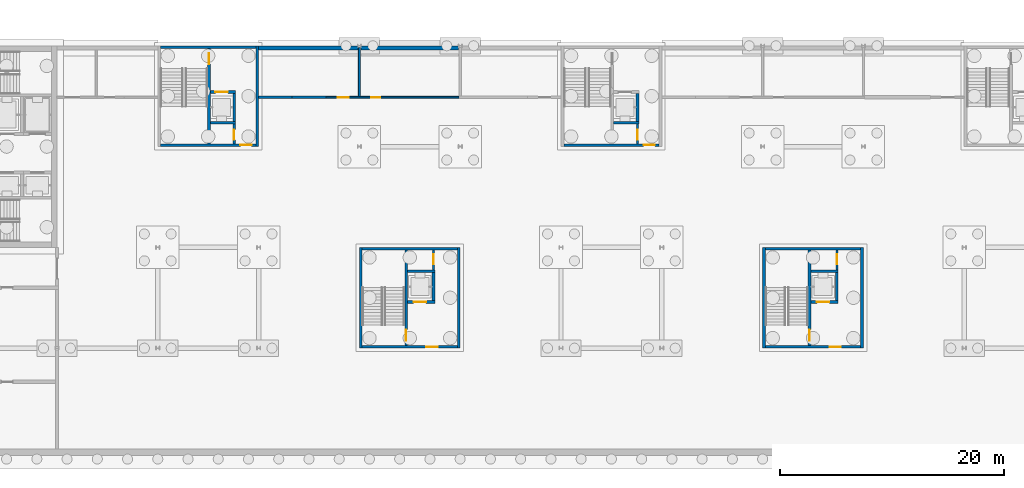
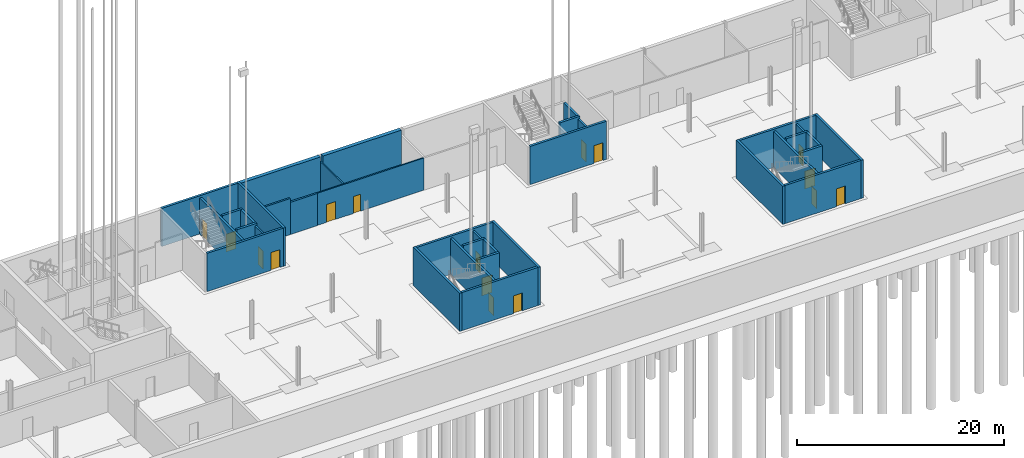
# One storey, part 16 of 41: 36 walls, 16 doors, 16 openings.
"""IFC4 building model written with IfcOpenShell, lengths in metres."""

from ifc_helpers import new_model, si_unit, direction, frame, frame_2d, origin, place, context, subcontext, project, spatial, rectangle, extrude, material, layer, layer_set, type_object, element, fill, save


model = new_model("IFC4")

# Units and contexts
model_context = context("Model", 3, precision=1e-05, world=origin(), true_north=direction((0.0, 1.0)))
body_context = subcontext(model_context, "Body", "Model", "MODEL_VIEW")
ifc_project = project(units=[si_unit("LENGTHUNIT", "METRE"), si_unit("AREAUNIT", "SQUARE_METRE"), si_unit("VOLUMEUNIT", "CUBIC_METRE"), si_unit("PLANEANGLEUNIT", "RADIAN"), si_unit("MASSUNIT", "GRAM", prefix="KILO")], contexts=[model_context])

# Site, building, storey
site_placement = place(None, origin())
site = spatial("IfcSite", under=ifc_project, at=site_placement, CompositionType="ELEMENT")
building_placement = place(site_placement, origin())
building = spatial("IfcBuilding", under=site, at=building_placement, Name="Corbel Yard City Hall", CompositionType="ELEMENT")
storey_placement = place(building_placement, frame((0.0, 0.0, -4.5)))
storey = spatial("IfcBuildingStorey", under=building, at=storey_placement, Name="B1", CompositionType="ELEMENT", Elevation=-4.5)

# Wall
ifc_material_1 = material(Name="Concrete N50 (50 MPa)", Category="concrete")
ifc_layer_1 = layer(ifc_material_1, 0.25)
ifc_layer_set_1 = layer_set([ifc_layer_1], Name="Concrete N50 (50 MPa)")
wall_type_1 = type_object("IfcWallType", Name="Core cell wall 250", PredefinedType="SHEAR", material=ifc_layer_set_1)
wall_1_placement = place(storey_placement, frame((71.875, 108.0, 0.0), z_axis=(0.0, 0.0, 1.0), x_axis=(0.0, 1.0, 0.0)))
element("IfcWall", 1, at=wall_1_placement, inside=storey, type_object=wall_type_1, Name="Core PC-N1 east wall", PredefinedType="SHEAR", context=body_context, shape_type="SweptSolid", body=[
    extrude(rectangle(XDim=9.0, YDim=0.25, at=frame_2d((4.5, 0.0))), origin(), (0.0, 0.0, 1.0), 4.5),
])

# Wall, opening, door
wall_2_placement = place(storey_placement, frame((63.25, 108.125, 0.0), z_axis=(0.0, 0.0, 1.0), x_axis=(1.0, 0.0, 0.0)))
wall_2 = element("IfcWall", 2, at=wall_2_placement, inside=storey, type_object=wall_type_1, Name="Core PC-N1 south wall", PredefinedType="SHEAR", context=body_context, shape_type="SweptSolid", body=[
    extrude(rectangle(XDim=8.5, YDim=0.25, at=frame_2d((4.25, 0.0))), origin(), (0.0, 0.0, 1.0), 4.5),
])
opening_1_placement = place(wall_2_placement, frame((7.125, 0.0, 0.0)))
opening_1 = element("IfcOpeningElement", 3, at=opening_1_placement, cuts=wall_2, Name="Opening B1-019", PredefinedType="OPENING", context=body_context, shape_type="SweptSolid", body=[
    extrude(rectangle(XDim=1.0, YDim=2.10009765625, at=frame_2d((0.5, 1.050048828125))), frame((0.0, 0.135009765625, 0.0), z_axis=(0.0, -1.0, 0.0), x_axis=(1.0, 0.0, 0.0)), (0.0, 0.0, 1.0), 0.27001953125),
])
ifc_material_2 = material(Name="Steel Grade G250", Category="steel")
door_type_1 = type_object("IfcDoorType", Name="FS1", OperationType="SINGLE_SWING_LEFT", PredefinedType="DOOR", material=ifc_material_2)
door_1_placement = place(opening_1_placement, origin())
door_1 = element("IfcDoor", 4, at=door_1_placement, inside=storey, type_object=door_type_1, Name="Door Lift Lobby", OperationType="SINGLE_SWING_RIGHT", OverallHeight=2.10009765625, OverallWidth=1.0, PredefinedType="DOOR", context=body_context, shape_type="SweptSolid", body=[
    extrude(rectangle(XDim=1.0, YDim=2.10009765625, at=frame_2d((0.5, 1.050048828125))), frame((0.0, 0.02490234375, 0.0), z_axis=(0.0, -1.0, 0.0), x_axis=(1.0, 0.0, 0.0)), (0.0, 0.0, 1.0), 0.050048828125),
])
fill(opening_1, door_1)

# Wall
wall_3_placement = place(storey_placement, frame((63.25, 116.875, 0.0), z_axis=(0.0, 0.0, 1.0), x_axis=(1.0, 0.0, 0.0)))
element("IfcWall", 5, at=wall_3_placement, inside=storey, type_object=wall_type_1, Name="Core PC-N1 north wall", PredefinedType="SHEAR", context=body_context, shape_type="SweptSolid", body=[
    extrude(rectangle(XDim=8.5, YDim=0.25, at=frame_2d((4.25, 0.0))), origin(), (0.0, 0.0, 1.0), 4.5),
])

# Wall, opening, door
wall_4_placement = place(storey_placement, frame((99.25, 108.125, 0.0), z_axis=(0.0, 0.0, 1.0), x_axis=(1.0, 0.0, 0.0)))
wall_4 = element("IfcWall", 6, at=wall_4_placement, inside=storey, type_object=wall_type_1, Name="Core PC-N2 south wall", PredefinedType="SHEAR", context=body_context, shape_type="SweptSolid", body=[
    extrude(rectangle(XDim=8.5, YDim=0.25, at=frame_2d((4.25, 0.0))), origin(), (0.0, 0.0, 1.0), 4.5),
])
opening_2_placement = place(wall_4_placement, frame((7.125, 0.0, 0.0)))
opening_2 = element("IfcOpeningElement", 7, at=opening_2_placement, cuts=wall_4, Name="Opening B1-020", PredefinedType="OPENING", context=body_context, shape_type="SweptSolid", body=[
    extrude(rectangle(XDim=1.0, YDim=2.10009765625, at=frame_2d((0.5, 1.050048828125))), frame((0.0, 0.135009765625, 0.0), z_axis=(0.0, -1.0, 0.0), x_axis=(1.0, 0.0, 0.0)), (0.0, 0.0, 1.0), 0.27001953125),
])
door_2_placement = place(opening_2_placement, origin())
door_2 = element("IfcDoor", 8, at=door_2_placement, inside=storey, type_object=door_type_1, Name="Door Lift Lobby", OperationType="SINGLE_SWING_RIGHT", OverallHeight=2.10009765625, OverallWidth=1.0, PredefinedType="DOOR", context=body_context, shape_type="SweptSolid", body=[
    extrude(rectangle(XDim=1.0, YDim=2.10009765625, at=frame_2d((0.5, 1.050048828125))), frame((0.0, 0.02490234375, 0.0), z_axis=(0.0, -1.0, 0.0), x_axis=(1.0, 0.0, 0.0)), (0.0, 0.0, 1.0), 0.050048828125),
])
fill(opening_2, door_2)

# Walls
for number, where, z_axis, x_axis, name in (
    (9, (81.125, 90.0, 0.0), (0.0, 0.0, 1.0), (0.0, 1.0, 0.0), "Core PC-N5 west wall"),
    (10, (89.875, 90.0, 0.0), (0.0, 0.0, 1.0), (0.0, 1.0, 0.0), "Core PC-N5 east wall"),
):
    element("IfcWall", number, at=place(storey_placement, frame(where, z_axis=z_axis, x_axis=x_axis)), inside=storey, type_object=wall_type_1, Name=name, PredefinedType="SHEAR", context=body_context, shape_type="SweptSolid", body=[
        extrude(rectangle(XDim=9.0, YDim=0.25, at=frame_2d((4.5, 0.0))), origin(), (0.0, 0.0, 1.0), 4.5),
    ])

# Wall, opening, door
wall_5_placement = place(storey_placement, frame((81.25, 90.125, 0.0), z_axis=(0.0, 0.0, 1.0), x_axis=(1.0, 0.0, 0.0)))
wall_5 = element("IfcWall", 11, at=wall_5_placement, inside=storey, type_object=wall_type_1, Name="Core PC-N5 south wall", PredefinedType="SHEAR", context=body_context, shape_type="SweptSolid", body=[
    extrude(rectangle(XDim=8.5, YDim=0.25, at=frame_2d((4.25, 0.0))), origin(), (0.0, 0.0, 1.0), 4.5),
])
opening_3_placement = place(wall_5_placement, frame((5.72509765625, 0.0, 0.0)))
opening_3 = element("IfcOpeningElement", 12, at=opening_3_placement, cuts=wall_5, Name="Opening B1-023", PredefinedType="OPENING", context=body_context, shape_type="SweptSolid", body=[
    extrude(rectangle(XDim=1.0, YDim=2.10009765625, at=frame_2d((0.5, 1.050048828125))), frame((0.0, 0.135009765625, 0.0), z_axis=(0.0, -1.0, 0.0), x_axis=(1.0, 0.0, 0.0)), (0.0, 0.0, 1.0), 0.27001953125),
])
door_3_placement = place(opening_3_placement, origin())
door_3 = element("IfcDoor", 13, at=door_3_placement, inside=storey, type_object=door_type_1, Name="Door Lift Lobby", OperationType="SINGLE_SWING_LEFT", OverallHeight=2.10009765625, OverallWidth=1.0, PredefinedType="DOOR", context=body_context, shape_type="SweptSolid", body=[
    extrude(rectangle(XDim=1.0, YDim=2.10009765625, at=frame_2d((0.5, 1.050048828125))), frame((0.0, 0.02490234375, 0.0), z_axis=(0.0, -1.0, 0.0), x_axis=(1.0, 0.0, 0.0)), (0.0, 0.0, 1.0), 0.050048828125),
])
fill(opening_3, door_3)

# Walls
wall_6_placement = place(storey_placement, frame((81.25, 98.875, 0.0), z_axis=(0.0, 0.0, 1.0), x_axis=(1.0, 0.0, 0.0)))
element("IfcWall", 14, at=wall_6_placement, inside=storey, type_object=wall_type_1, Name="Core PC-N5 north wall", PredefinedType="SHEAR", context=body_context, shape_type="SweptSolid", body=[
    extrude(rectangle(XDim=8.5, YDim=0.25, at=frame_2d((4.25, 0.0))), origin(), (0.0, 0.0, 1.0), 4.5),
])
for number, where, z_axis, x_axis, name in (
    (15, (117.125, 90.0, 0.0), (0.0, 0.0, 1.0), (0.0, 1.0, 0.0), "Core PC-N6 west wall"),
    (16, (125.875, 90.0, 0.0), (0.0, 0.0, 1.0), (0.0, 1.0, 0.0), "Core PC-N6 east wall"),
):
    element("IfcWall", number, at=place(storey_placement, frame(where, z_axis=z_axis, x_axis=x_axis)), inside=storey, type_object=wall_type_1, Name=name, PredefinedType="SHEAR", context=body_context, shape_type="SweptSolid", body=[
        extrude(rectangle(XDim=9.0, YDim=0.25, at=frame_2d((4.5, 0.0))), origin(), (0.0, 0.0, 1.0), 4.5),
    ])

# Wall, opening, door
wall_7_placement = place(storey_placement, frame((117.25, 90.125, 0.0), z_axis=(0.0, 0.0, 1.0), x_axis=(1.0, 0.0, 0.0)))
wall_7 = element("IfcWall", 17, at=wall_7_placement, inside=storey, type_object=wall_type_1, Name="Core PC-N6 south wall", PredefinedType="SHEAR", context=body_context, shape_type="SweptSolid", body=[
    extrude(rectangle(XDim=8.5, YDim=0.25, at=frame_2d((4.25, 0.0))), origin(), (0.0, 0.0, 1.0), 4.5),
])
opening_4_placement = place(wall_7_placement, frame((5.72509765625, 0.0, 0.0)))
opening_4 = element("IfcOpeningElement", 18, at=opening_4_placement, cuts=wall_7, Name="Opening B1-024", PredefinedType="OPENING", context=body_context, shape_type="SweptSolid", body=[
    extrude(rectangle(XDim=1.0, YDim=2.10009765625, at=frame_2d((0.5, 1.050048828125))), frame((0.0, 0.135009765625, 0.0), z_axis=(0.0, -1.0, 0.0), x_axis=(1.0, 0.0, 0.0)), (0.0, 0.0, 1.0), 0.27001953125),
])
door_4_placement = place(opening_4_placement, origin())
door_4 = element("IfcDoor", 19, at=door_4_placement, inside=storey, type_object=door_type_1, Name="Door Lift Lobby", OperationType="SINGLE_SWING_LEFT", OverallHeight=2.10009765625, OverallWidth=1.0, PredefinedType="DOOR", context=body_context, shape_type="SweptSolid", body=[
    extrude(rectangle(XDim=1.0, YDim=2.10009765625, at=frame_2d((0.5, 1.050048828125))), frame((0.0, 0.02490234375, 0.0), z_axis=(0.0, -1.0, 0.0), x_axis=(1.0, 0.0, 0.0)), (0.0, 0.0, 1.0), 0.050048828125),
])
fill(opening_4, door_4)

# Wall
wall_8_placement = place(storey_placement, frame((117.25, 98.875, 0.0), z_axis=(0.0, 0.0, 1.0), x_axis=(1.0, 0.0, 0.0)))
element("IfcWall", 20, at=wall_8_placement, inside=storey, type_object=wall_type_1, Name="Core PC-N6 north wall", PredefinedType="SHEAR", context=body_context, shape_type="SweptSolid", body=[
    extrude(rectangle(XDim=8.5, YDim=0.25, at=frame_2d((4.25, 0.0))), origin(), (0.0, 0.0, 1.0), 4.5),
])

# Wall, opening, door
ifc_material_3 = material(Name="Concrete N40 (40 MPa)", Category="concrete")
ifc_layer_2 = layer(ifc_material_3, 0.25)
ifc_layer_set_2 = layer_set([ifc_layer_2], Name="Concrete N40 (40 MPa)")
wall_type_2 = type_object("IfcWallType", Name="IW2", PredefinedType="SOLIDWALL", material=ifc_layer_set_2)
wall_9_placement = place(storey_placement, frame((67.574951171875, 116.75, 0.0), z_axis=(0.0, 0.0, 1.0), x_axis=(0.0, -1.0, 0.0)))
wall_9 = element("IfcWall", 21, at=wall_9_placement, inside=storey, type_object=wall_type_2, Name="Stair enclosure wall", PredefinedType="SOLIDWALL", context=body_context, shape_type="SweptSolid", body=[
    extrude(rectangle(XDim=8.5, YDim=0.25, at=frame_2d((4.25, 0.0))), origin(), (0.0, 0.0, 1.0), 4.25),
])
opening_5_placement = place(wall_9_placement, frame((0.39990234375, 0.0, 0.0)))
opening_5 = element("IfcOpeningElement", 22, at=opening_5_placement, cuts=wall_9, Name="Opening B1-007", PredefinedType="OPENING", context=body_context, shape_type="SweptSolid", body=[
    extrude(rectangle(XDim=1.0, YDim=2.10009765625, at=frame_2d((0.5, 1.050048828125))), frame((0.0, 0.135009765625, 0.0), z_axis=(0.0, -1.0, 0.0), x_axis=(1.0, 0.0, 0.0)), (0.0, 0.0, 1.0), 0.27001953125),
])
door_5_placement = place(opening_5_placement, frame((1.0, 0.0, 0.0), z_axis=(0.0, 0.0, 1.0), x_axis=(-1.0, 0.0, 0.0)))
door_5 = element("IfcDoor", 23, at=door_5_placement, inside=storey, type_object=door_type_1, Name="Door Exit Stair 16", OperationType="SINGLE_SWING_RIGHT", OverallHeight=2.10009765625, OverallWidth=1.0, PredefinedType="DOOR", context=body_context, shape_type="SweptSolid", body=[
    extrude(rectangle(XDim=1.0, YDim=2.10009765625, at=frame_2d((0.5, 1.050048828125))), frame((0.0, 0.02490234375, 0.0), z_axis=(0.0, -1.0, 0.0), x_axis=(1.0, 0.0, 0.0)), (0.0, 0.0, 1.0), 0.050048828125),
])
fill(opening_5, door_5)

# Wall
wall_10_placement = place(storey_placement, frame((67.699951171875, 110.125, 0.0), z_axis=(0.0, 0.0, 1.0), x_axis=(1.0, 0.0, 0.0)))
element("IfcWall", 24, at=wall_10_placement, inside=storey, type_object=wall_type_2, Name="Lift LP16 shaft wall", PredefinedType="SOLIDWALL", context=body_context, shape_type="SweptSolid", body=[
    extrude(rectangle(XDim=2.25, YDim=0.25, at=frame_2d((1.125, 0.0))), origin(), (0.0, 0.0, 1.0), 4.5),
])

# Wall, opening, door
wall_11_placement = place(storey_placement, frame((67.699951171875, 112.875, 0.0), z_axis=(0.0, 0.0, 1.0), x_axis=(1.0, 0.0, 0.0)))
wall_11 = element("IfcWall", 25, at=wall_11_placement, inside=storey, type_object=wall_type_2, Name="Lift LP16 shaft wall", PredefinedType="SOLIDWALL", context=body_context, shape_type="SweptSolid", body=[
    extrude(rectangle(XDim=2.25, YDim=0.25, at=frame_2d((1.125, 0.0))), origin(), (0.0, 0.0, 1.0), 4.5),
])
opening_6_placement = place(wall_11_placement, frame((0.449951171875, 0.0, 0.0)))
opening_6 = element("IfcOpeningElement", 26, at=opening_6_placement, cuts=wall_11, Name="Opening B1-001", PredefinedType="OPENING", context=body_context, shape_type="SweptSolid", body=[
    extrude(rectangle(XDim=1.10009765625, YDim=2.10009765625, at=frame_2d((0.550048828125, 1.050048828125))), frame((0.0, 0.135009765625, 0.0), z_axis=(0.0, -1.0, 0.0), x_axis=(1.0, 0.0, 0.0)), (0.0, 0.0, 1.0), 0.27001953125),
])
ifc_material_4 = material(Name="Stainless steel Grade 316", Category="steel")
door_type_2 = type_object("IfcDoorType", Name="LD1", OperationType="DOUBLE_DOOR_SLIDING", PredefinedType="DOOR", material=ifc_material_4)
door_6_placement = place(opening_6_placement, origin())
door_6 = element("IfcDoor", 27, at=door_6_placement, inside=storey, type_object=door_type_2, Name="Lift LP16 landing door", OperationType="DOUBLE_DOOR_SLIDING", OverallHeight=2.10009765625, OverallWidth=1.10009765625, PredefinedType="DOOR", context=body_context, shape_type="SweptSolid", body=[
    extrude(rectangle(XDim=1.10009765625, YDim=2.10009765625, at=frame_2d((0.550048828125, 1.050048828125))), frame((0.0, 0.02490234375, 0.0), z_axis=(0.0, -1.0, 0.0), x_axis=(1.0, 0.0, 0.0)), (0.0, 0.0, 1.0), 0.050048828125),
])
fill(opening_6, door_6)

# Walls
wall_12_placement = place(storey_placement, frame((69.824951171875, 110.25, 0.0), z_axis=(0.0, 0.0, 1.0), x_axis=(0.0, 1.0, 0.0)))
element("IfcWall", 28, at=wall_12_placement, inside=storey, type_object=wall_type_2, Name="Lift LP16 shaft wall", PredefinedType="SOLIDWALL", context=body_context, shape_type="SweptSolid", body=[
    extrude(rectangle(XDim=2.5, YDim=0.25, at=frame_2d((1.25, 0.0))), origin(), (0.0, 0.0, 1.0), 4.5),
])
wall_13_placement = place(storey_placement, frame((103.699951171875, 110.125, 0.0), z_axis=(0.0, 0.0, 1.0), x_axis=(1.0, 0.0, 0.0)))
element("IfcWall", 29, at=wall_13_placement, inside=storey, type_object=wall_type_2, Name="Lift LP17 shaft wall", PredefinedType="SOLIDWALL", context=body_context, shape_type="SweptSolid", body=[
    extrude(rectangle(XDim=2.25, YDim=0.25, at=frame_2d((1.125, 0.0))), origin(), (0.0, 0.0, 1.0), 4.5),
])
wall_14_placement = place(storey_placement, frame((105.824951171875, 110.25, 0.0), z_axis=(0.0, 0.0, 1.0), x_axis=(0.0, 1.0, 0.0)))
element("IfcWall", 30, at=wall_14_placement, inside=storey, type_object=wall_type_2, Name="Lift LP17 shaft wall", PredefinedType="SOLIDWALL", context=body_context, shape_type="SweptSolid", body=[
    extrude(rectangle(XDim=2.5, YDim=0.25, at=frame_2d((1.25, 0.0))), origin(), (0.0, 0.0, 1.0), 4.5),
])

# Wall, opening, door
wall_15_placement = place(storey_placement, frame((85.175048828125, 90.25, 0.0), z_axis=(0.0, 0.0, 1.0), x_axis=(0.0, 1.0, 0.0)))
wall_15 = element("IfcWall", 31, at=wall_15_placement, inside=storey, type_object=wall_type_2, Name="Stair enclosure wall", PredefinedType="SOLIDWALL", context=body_context, shape_type="SweptSolid", body=[
    extrude(rectangle(XDim=8.5, YDim=0.25, at=frame_2d((4.25, 0.0))), origin(), (0.0, 0.0, 1.0), 4.25),
])
opening_7_placement = place(wall_15_placement, frame((0.39990234375, 0.0, 0.0)))
opening_7 = element("IfcOpeningElement", 32, at=opening_7_placement, cuts=wall_15, Name="Opening B1-015", PredefinedType="OPENING", context=body_context, shape_type="SweptSolid", body=[
    extrude(rectangle(XDim=1.0, YDim=2.10009765625, at=frame_2d((0.5, 1.050048828125))), frame((0.0, 0.135009765625, 0.0), z_axis=(0.0, -1.0, 0.0), x_axis=(1.0, 0.0, 0.0)), (0.0, 0.0, 1.0), 0.27001953125),
])
door_7_placement = place(opening_7_placement, origin())
door_7 = element("IfcDoor", 33, at=door_7_placement, inside=storey, type_object=door_type_1, Name="Door Exit Stair 20", OperationType="SINGLE_SWING_LEFT", OverallHeight=2.10009765625, OverallWidth=1.0, PredefinedType="DOOR", context=body_context, shape_type="SweptSolid", body=[
    extrude(rectangle(XDim=1.0, YDim=2.10009765625, at=frame_2d((0.5, 1.050048828125))), frame((0.0, 0.02490234375, 0.0), z_axis=(0.0, -1.0, 0.0), x_axis=(1.0, 0.0, 0.0)), (0.0, 0.0, 1.0), 0.050048828125),
])
fill(opening_7, door_7)

wall_16_placement = place(storey_placement, frame((85.300048828125, 94.125, 0.0), z_axis=(0.0, 0.0, 1.0), x_axis=(1.0, 0.0, 0.0)))
wall_16 = element("IfcWall", 34, at=wall_16_placement, inside=storey, type_object=wall_type_2, Name="Lift LP20 shaft wall", PredefinedType="SOLIDWALL", context=body_context, shape_type="SweptSolid", body=[
    extrude(rectangle(XDim=2.449951171875, YDim=0.25, at=frame_2d((1.22509765625, 0.0))), origin(), (0.0, 0.0, 1.0), 4.5),
])
opening_8_placement = place(wall_16_placement, frame((0.550048828125, 0.0, 0.0)))
opening_8 = element("IfcOpeningElement", 35, at=opening_8_placement, cuts=wall_16, Name="Opening B1-005", PredefinedType="OPENING", context=body_context, shape_type="SweptSolid", body=[
    extrude(rectangle(XDim=1.10009765625, YDim=2.10009765625, at=frame_2d((0.550048828125, 1.050048828125))), frame((0.0, 0.135009765625, 0.0), z_axis=(0.0, -1.0, 0.0), x_axis=(1.0, 0.0, 0.0)), (0.0, 0.0, 1.0), 0.27001953125),
])
door_8_placement = place(opening_8_placement, origin())
door_8 = element("IfcDoor", 36, at=door_8_placement, inside=storey, type_object=door_type_2, Name="Lift LP20 landing door", OperationType="DOUBLE_DOOR_SLIDING", OverallHeight=2.10009765625, OverallWidth=1.10009765625, PredefinedType="DOOR", context=body_context, shape_type="SweptSolid", body=[
    extrude(rectangle(XDim=1.10009765625, YDim=2.10009765625, at=frame_2d((0.550048828125, 1.050048828125))), frame((0.0, 0.02490234375, 0.0), z_axis=(0.0, -1.0, 0.0), x_axis=(1.0, 0.0, 0.0)), (0.0, 0.0, 1.0), 0.050048828125),
])
fill(opening_8, door_8)

# Walls
wall_17_placement = place(storey_placement, frame((85.300048828125, 96.875, 0.0), z_axis=(0.0, 0.0, 1.0), x_axis=(1.0, 0.0, 0.0)))
element("IfcWall", 37, at=wall_17_placement, inside=storey, type_object=wall_type_2, Name="Lift LP20 shaft wall", PredefinedType="SOLIDWALL", context=body_context, shape_type="SweptSolid", body=[
    extrude(rectangle(XDim=2.449951171875, YDim=0.25, at=frame_2d((1.22509765625, 0.0))), origin(), (0.0, 0.0, 1.0), 4.5),
])
wall_18_placement = place(storey_placement, frame((87.625, 94.25, 0.0), z_axis=(0.0, 0.0, 1.0), x_axis=(0.0, 1.0, 0.0)))
element("IfcWall", 38, at=wall_18_placement, inside=storey, type_object=wall_type_2, Name="Lift LP20 shaft wall", PredefinedType="SOLIDWALL", context=body_context, shape_type="SweptSolid", body=[
    extrude(rectangle(XDim=2.5, YDim=0.25, at=frame_2d((1.25, 0.0))), origin(), (0.0, 0.0, 1.0), 4.5),
])

# Wall, opening, door
wall_19_placement = place(storey_placement, frame((121.175048828125, 90.25, 0.0), z_axis=(0.0, 0.0, 1.0), x_axis=(0.0, 1.0, 0.0)))
wall_19 = element("IfcWall", 39, at=wall_19_placement, inside=storey, type_object=wall_type_2, Name="Stair enclosure wall", PredefinedType="SOLIDWALL", context=body_context, shape_type="SweptSolid", body=[
    extrude(rectangle(XDim=8.5, YDim=0.25, at=frame_2d((4.25, 0.0))), origin(), (0.0, 0.0, 1.0), 4.25),
])
opening_9_placement = place(wall_19_placement, frame((0.39990234375, 0.0, 0.0)))
opening_9 = element("IfcOpeningElement", 40, at=opening_9_placement, cuts=wall_19, Name="Opening B1-017", PredefinedType="OPENING", context=body_context, shape_type="SweptSolid", body=[
    extrude(rectangle(XDim=1.0, YDim=2.10009765625, at=frame_2d((0.5, 1.050048828125))), frame((0.0, 0.135009765625, 0.0), z_axis=(0.0, -1.0, 0.0), x_axis=(1.0, 0.0, 0.0)), (0.0, 0.0, 1.0), 0.27001953125),
])
door_9_placement = place(opening_9_placement, origin())
door_9 = element("IfcDoor", 41, at=door_9_placement, inside=storey, type_object=door_type_1, Name="Door Exit Stair 21", OperationType="SINGLE_SWING_LEFT", OverallHeight=2.10009765625, OverallWidth=1.0, PredefinedType="DOOR", context=body_context, shape_type="SweptSolid", body=[
    extrude(rectangle(XDim=1.0, YDim=2.10009765625, at=frame_2d((0.5, 1.050048828125))), frame((0.0, 0.02490234375, 0.0), z_axis=(0.0, -1.0, 0.0), x_axis=(1.0, 0.0, 0.0)), (0.0, 0.0, 1.0), 0.050048828125),
])
fill(opening_9, door_9)

wall_20_placement = place(storey_placement, frame((121.300048828125, 94.125, 0.0), z_axis=(0.0, 0.0, 1.0), x_axis=(1.0, 0.0, 0.0)))
wall_20 = element("IfcWall", 42, at=wall_20_placement, inside=storey, type_object=wall_type_2, Name="Lift LP21 shaft wall", PredefinedType="SOLIDWALL", context=body_context, shape_type="SweptSolid", body=[
    extrude(rectangle(XDim=2.449951171875, YDim=0.25, at=frame_2d((1.22509765625, 0.0))), origin(), (0.0, 0.0, 1.0), 4.5),
])
opening_10_placement = place(wall_20_placement, frame((0.550048828125, 0.0, 0.0)))
opening_10 = element("IfcOpeningElement", 43, at=opening_10_placement, cuts=wall_20, Name="Opening B1-006", PredefinedType="OPENING", context=body_context, shape_type="SweptSolid", body=[
    extrude(rectangle(XDim=1.10009765625, YDim=2.10009765625, at=frame_2d((0.550048828125, 1.050048828125))), frame((0.0, 0.135009765625, 0.0), z_axis=(0.0, -1.0, 0.0), x_axis=(1.0, 0.0, 0.0)), (0.0, 0.0, 1.0), 0.27001953125),
])
door_10_placement = place(opening_10_placement, origin())
door_10 = element("IfcDoor", 44, at=door_10_placement, inside=storey, type_object=door_type_2, Name="Lift LP21 landing door", OperationType="DOUBLE_DOOR_SLIDING", OverallHeight=2.10009765625, OverallWidth=1.10009765625, PredefinedType="DOOR", context=body_context, shape_type="SweptSolid", body=[
    extrude(rectangle(XDim=1.10009765625, YDim=2.10009765625, at=frame_2d((0.550048828125, 1.050048828125))), frame((0.0, 0.02490234375, 0.0), z_axis=(0.0, -1.0, 0.0), x_axis=(1.0, 0.0, 0.0)), (0.0, 0.0, 1.0), 0.050048828125),
])
fill(opening_10, door_10)

# Walls
wall_21_placement = place(storey_placement, frame((121.300048828125, 96.875, 0.0), z_axis=(0.0, 0.0, 1.0), x_axis=(1.0, 0.0, 0.0)))
element("IfcWall", 45, at=wall_21_placement, inside=storey, type_object=wall_type_2, Name="Lift LP21 shaft wall", PredefinedType="SOLIDWALL", context=body_context, shape_type="SweptSolid", body=[
    extrude(rectangle(XDim=2.449951171875, YDim=0.25, at=frame_2d((1.22509765625, 0.0))), origin(), (0.0, 0.0, 1.0), 4.5),
])
wall_22_placement = place(storey_placement, frame((123.625, 94.25, 0.0), z_axis=(0.0, 0.0, 1.0), x_axis=(0.0, 1.0, 0.0)))
element("IfcWall", 46, at=wall_22_placement, inside=storey, type_object=wall_type_2, Name="Lift LP21 shaft wall", PredefinedType="SOLIDWALL", context=body_context, shape_type="SweptSolid", body=[
    extrude(rectangle(XDim=2.5, YDim=0.25, at=frame_2d((1.25, 0.0))), origin(), (0.0, 0.0, 1.0), 4.5),
])
ifc_material_5 = material(Name="Gypsum plasterboard", Category="gypsum")
ifc_layer_3 = layer(ifc_material_5, 0.031982421875)
ifc_material_6 = material(Name="Steel Grade G550 (550 MPa yield)", Category="steel")
ifc_layer_4 = layer(ifc_material_6, 0.135986328125)
ifc_layer_5 = layer(ifc_material_5, 0.031982421875)
ifc_layer_set_3 = layer_set([ifc_layer_3, ifc_layer_4, ifc_layer_5], Name="Steel Grade G550 (550 MPa yield)")
wall_type_3 = type_object("IfcWallType", Name="PT2", PredefinedType="PARTITIONING", material=ifc_layer_set_3)
wall_23_placement = place(storey_placement, frame((72.0, 112.39990234375, 0.0), z_axis=(0.0, 0.0, 1.0), x_axis=(1.0, 0.0, 0.0)))
element("IfcWall", 47, at=wall_23_placement, inside=storey, type_object=wall_type_3, Name="Acoustic wall", PredefinedType="PARTITIONING", context=body_context, shape_type="SweptSolid", body=[
    extrude(rectangle(XDim=3.0, YDim=0.199951171875, at=frame_2d((1.5, 0.0))), origin(), (0.0, 0.0, 1.0), 4.25),
])
wall_24_placement = place(storey_placement, frame((75.0, 112.39990234375, 0.0), z_axis=(0.0, 0.0, 1.0), x_axis=(1.0, 0.0, 0.0)))
element("IfcWall", 48, at=wall_24_placement, inside=storey, type_object=wall_type_3, Name="Acoustic wall", PredefinedType="PARTITIONING", context=body_context, shape_type="SweptSolid", body=[
    extrude(rectangle(XDim=3.0, YDim=0.199951171875, at=frame_2d((1.5, 0.0))), origin(), (0.0, 0.0, 1.0), 3.7900390625),
])

# Wall, openings, doors
ifc_layer_6 = layer(ifc_material_5, 0.031982421875)
ifc_layer_7 = layer(ifc_material_6, 0.095947265625)
ifc_layer_8 = layer(ifc_material_5, 0.031982421875)
ifc_layer_set_4 = layer_set([ifc_layer_6, ifc_layer_7, ifc_layer_8], Name="Steel Grade G550 (550 MPa yield)")
wall_type_4 = type_object("IfcWallType", Name="PT3", PredefinedType="PARTITIONING", material=ifc_layer_set_4)
wall_25_placement = place(storey_placement, frame((78.0, 112.39990234375, 0.0), z_axis=(0.0, 0.0, 1.0), x_axis=(1.0, 0.0, 0.0)))
wall_25 = element("IfcWall", 49, at=wall_25_placement, inside=storey, type_object=wall_type_4, Name="Fire-resisting wall", PredefinedType="PARTITIONING", context=body_context, shape_type="SweptSolid", body=[
    extrude(rectangle(XDim=11.905029296875, YDim=0.159912109375, at=frame_2d((5.95263671875, 0.0))), origin(), (0.0, 0.0, 1.0), 3.7900390625),
])
opening_11_placement = place(wall_25_placement, frame((1.050048828125, 0.0, 0.0)))
opening_11 = element("IfcOpeningElement", 50, at=opening_11_placement, cuts=wall_25, Name="Opening B1-040", PredefinedType="OPENING", context=body_context, shape_type="SweptSolid", body=[
    extrude(rectangle(XDim=1.0, YDim=2.10009765625, at=frame_2d((0.5, 1.050048828125))), frame((0.0, 0.08984375, 0.0), z_axis=(0.0, -1.0, 0.0), x_axis=(1.0, 0.0, 0.0)), (0.0, 0.0, 1.0), 0.179931640625),
])
opening_12_placement = place(wall_25_placement, frame((4.050048828125, 0.0, 0.0)))
opening_12 = element("IfcOpeningElement", 51, at=opening_12_placement, cuts=wall_25, Name="Opening B1-041", PredefinedType="OPENING", context=body_context, shape_type="SweptSolid", body=[
    extrude(rectangle(XDim=0.800048828125, YDim=2.0, at=frame_2d((0.39990234375, 1.0))), frame((0.0, 0.08984375, 0.0), z_axis=(0.0, -1.0, 0.0), x_axis=(1.0, 0.0, 0.0)), (0.0, 0.0, 1.0), 0.179931640625),
])
door_type_3 = type_object("IfcDoorType", Name="FD1", OperationType="SINGLE_SWING_LEFT", PredefinedType="DOOR", material=ifc_material_2)
door_11_placement = place(opening_11_placement, origin())
door_11 = element("IfcDoor", 52, at=door_11_placement, inside=storey, type_object=door_type_3, Name="Door Sprinkler and Hydrant Valve Room", OperationType="SINGLE_SWING_RIGHT", OverallHeight=2.10009765625, OverallWidth=1.0, PredefinedType="DOOR", context=body_context, shape_type="SweptSolid", body=[
    extrude(rectangle(XDim=1.0, YDim=2.10009765625, at=frame_2d((0.5, 1.050048828125))), frame((0.0, 0.02490234375, 0.0), z_axis=(0.0, -1.0, 0.0), x_axis=(1.0, 0.0, 0.0)), (0.0, 0.0, 1.0), 0.050048828125),
])
fill(opening_11, door_11)
door_type_4 = type_object("IfcDoorType", Name="FD31", OperationType="SINGLE_SWING_LEFT", PredefinedType="DOOR", material=ifc_material_2)
door_12_placement = place(opening_12_placement, origin())
door_12 = element("IfcDoor", 53, at=door_12_placement, inside=storey, type_object=door_type_4, Name="Door General Store", OperationType="SINGLE_SWING_LEFT", OverallHeight=2.0, OverallWidth=0.800048828125, PredefinedType="DOOR", context=body_context, shape_type="SweptSolid", body=[
    extrude(rectangle(XDim=0.800048828125, YDim=2.0, at=frame_2d((0.39990234375, 1.0))), frame((0.0, 0.02490234375, 0.0), z_axis=(0.0, -1.0, 0.0), x_axis=(1.0, 0.0, 0.0)), (0.0, 0.0, 1.0), 0.050048828125),
])
fill(opening_12, door_12)

# Wall
wall_26_placement = place(storey_placement, frame((81.0, 112.47998046875, 0.0), z_axis=(0.0, 0.0, 1.0), x_axis=(0.0, 1.0, 0.0)))
element("IfcWall", 54, at=wall_26_placement, inside=storey, type_object=wall_type_4, Name="Fire-resisting wall", PredefinedType="PARTITIONING", context=body_context, shape_type="SweptSolid", body=[
    extrude(rectangle(XDim=4.3564453125, YDim=0.159912109375, at=frame_2d((2.17822265625, 0.0))), origin(), (0.0, 0.0, 1.0), 3.7900390625),
])

# Wall, opening, door
ifc_material_7 = material(Name="Concrete block", Category="concrete")
ifc_layer_9 = layer(ifc_material_7, 0.18994140625)
ifc_layer_set_5 = layer_set([ifc_layer_9], Name="Concrete block")
wall_type_5 = type_object("IfcWallType", Name="PT4", PredefinedType="PARTITIONING", material=ifc_layer_set_5)
wall_27_placement = place(storey_placement, frame((69.824951171875, 108.25, 0.0), z_axis=(0.0, 0.0, 1.0), x_axis=(0.0, 1.0, 0.0)))
wall_27 = element("IfcWall", 55, at=wall_27_placement, inside=storey, type_object=wall_type_5, Name="Fire-resisting block wall", PredefinedType="PARTITIONING", context=body_context, shape_type="SweptSolid", body=[
    extrude(rectangle(XDim=1.75, YDim=0.18994140625, at=frame_2d((0.875, 0.0))), origin(), (0.0, 0.0, 1.0), 4.25),
])
opening_13_placement = place(wall_27_placement, frame((0.3525390625, 0.0, 0.0)))
opening_13 = element("IfcOpeningElement", 56, at=opening_13_placement, cuts=wall_27, Name="Opening B1-008", PredefinedType="OPENING", context=body_context, shape_type="SweptSolid", body=[
    extrude(rectangle(XDim=0.919921875, YDim=2.10009765625, at=frame_2d((0.4599609375, 1.050048828125))), frame((0.0, 0.10498046875, 0.0), z_axis=(0.0, -1.0, 0.0), x_axis=(1.0, 0.0, 0.0)), (0.0, 0.0, 1.0), 0.2099609375),
])
door_type_5 = type_object("IfcDoorType", Name="FS5", OperationType="SINGLE_SWING_RIGHT", PredefinedType="DOOR", material=ifc_material_2)
door_13_placement = place(opening_13_placement, origin())
door_13 = element("IfcDoor", 57, at=door_13_placement, inside=storey, type_object=door_type_5, Name="Door Service Riser", OperationType="SINGLE_SWING_LEFT", OverallHeight=2.10009765625, OverallWidth=0.919921875, PredefinedType="DOOR", context=body_context, shape_type="SweptSolid", body=[
    extrude(rectangle(XDim=0.919921875, YDim=2.10009765625, at=frame_2d((0.4599609375, 1.050048828125))), frame((0.0, 0.02490234375, 0.0), z_axis=(0.0, -1.0, 0.0), x_axis=(1.0, 0.0, 0.0)), (0.0, 0.0, 1.0), 0.050048828125),
])
fill(opening_13, door_13)

wall_28_placement = place(storey_placement, frame((87.625, 97.0, 0.0), z_axis=(0.0, 0.0, 1.0), x_axis=(0.0, 1.0, 0.0)))
wall_28 = element("IfcWall", 58, at=wall_28_placement, inside=storey, type_object=wall_type_5, Name="Fire-resisting block wall", PredefinedType="PARTITIONING", context=body_context, shape_type="SweptSolid", body=[
    extrude(rectangle(XDim=1.75, YDim=0.18994140625, at=frame_2d((0.875, 0.0))), origin(), (0.0, 0.0, 1.0), 4.25),
])
opening_14_placement = place(wall_28_placement, frame((0.4775390625, 0.0, 0.0)))
opening_14 = element("IfcOpeningElement", 59, at=opening_14_placement, cuts=wall_28, Name="Opening B1-016", PredefinedType="OPENING", context=body_context, shape_type="SweptSolid", body=[
    extrude(rectangle(XDim=0.919921875, YDim=2.10009765625, at=frame_2d((0.4599609375, 1.050048828125))), frame((0.0, 0.10498046875, 0.0), z_axis=(0.0, -1.0, 0.0), x_axis=(1.0, 0.0, 0.0)), (0.0, 0.0, 1.0), 0.2099609375),
])
door_14_placement = place(opening_14_placement, origin())
door_14 = element("IfcDoor", 60, at=door_14_placement, inside=storey, type_object=door_type_5, Name="Door Service Riser", OperationType="SINGLE_SWING_RIGHT", OverallHeight=2.10009765625, OverallWidth=0.919921875, PredefinedType="DOOR", context=body_context, shape_type="SweptSolid", body=[
    extrude(rectangle(XDim=0.919921875, YDim=2.10009765625, at=frame_2d((0.4599609375, 1.050048828125))), frame((0.0, 0.02490234375, 0.0), z_axis=(0.0, -1.0, 0.0), x_axis=(1.0, 0.0, 0.0)), (0.0, 0.0, 1.0), 0.050048828125),
])
fill(opening_14, door_14)

wall_29_placement = place(storey_placement, frame((105.824951171875, 108.25, 0.0), z_axis=(0.0, 0.0, 1.0), x_axis=(0.0, 1.0, 0.0)))
wall_29 = element("IfcWall", 61, at=wall_29_placement, inside=storey, type_object=wall_type_5, Name="Fire-resisting block wall", PredefinedType="PARTITIONING", context=body_context, shape_type="SweptSolid", body=[
    extrude(rectangle(XDim=1.75, YDim=0.18994140625, at=frame_2d((0.875, 0.0))), origin(), (0.0, 0.0, 1.0), 4.25),
])
opening_15_placement = place(wall_29_placement, frame((0.3525390625, 0.0, 0.0)))
opening_15 = element("IfcOpeningElement", 62, at=opening_15_placement, cuts=wall_29, Name="Opening B1-010", PredefinedType="OPENING", context=body_context, shape_type="SweptSolid", body=[
    extrude(rectangle(XDim=0.919921875, YDim=2.10009765625, at=frame_2d((0.4599609375, 1.050048828125))), frame((0.0, 0.10498046875, 0.0), z_axis=(0.0, -1.0, 0.0), x_axis=(1.0, 0.0, 0.0)), (0.0, 0.0, 1.0), 0.2099609375),
])
door_15_placement = place(opening_15_placement, origin())
door_15 = element("IfcDoor", 63, at=door_15_placement, inside=storey, type_object=door_type_5, Name="Door Service Riser", OperationType="SINGLE_SWING_LEFT", OverallHeight=2.10009765625, OverallWidth=0.919921875, PredefinedType="DOOR", context=body_context, shape_type="SweptSolid", body=[
    extrude(rectangle(XDim=0.919921875, YDim=2.10009765625, at=frame_2d((0.4599609375, 1.050048828125))), frame((0.0, 0.02490234375, 0.0), z_axis=(0.0, -1.0, 0.0), x_axis=(1.0, 0.0, 0.0)), (0.0, 0.0, 1.0), 0.050048828125),
])
fill(opening_15, door_15)

wall_30_placement = place(storey_placement, frame((123.625, 97.0, 0.0), z_axis=(0.0, 0.0, 1.0), x_axis=(0.0, 1.0, 0.0)))
wall_30 = element("IfcWall", 64, at=wall_30_placement, inside=storey, type_object=wall_type_5, Name="Fire-resisting block wall", PredefinedType="PARTITIONING", context=body_context, shape_type="SweptSolid", body=[
    extrude(rectangle(XDim=1.75, YDim=0.18994140625, at=frame_2d((0.875, 0.0))), origin(), (0.0, 0.0, 1.0), 4.25),
])
opening_16_placement = place(wall_30_placement, frame((0.4775390625, 0.0, 0.0)))
opening_16 = element("IfcOpeningElement", 65, at=opening_16_placement, cuts=wall_30, Name="Opening B1-018", PredefinedType="OPENING", context=body_context, shape_type="SweptSolid", body=[
    extrude(rectangle(XDim=0.919921875, YDim=2.10009765625, at=frame_2d((0.4599609375, 1.050048828125))), frame((0.0, 0.10498046875, 0.0), z_axis=(0.0, -1.0, 0.0), x_axis=(1.0, 0.0, 0.0)), (0.0, 0.0, 1.0), 0.2099609375),
])
door_16_placement = place(opening_16_placement, origin())
door_16 = element("IfcDoor", 66, at=door_16_placement, inside=storey, type_object=door_type_5, Name="Door Service Riser", OperationType="SINGLE_SWING_RIGHT", OverallHeight=2.10009765625, OverallWidth=0.919921875, PredefinedType="DOOR", context=body_context, shape_type="SweptSolid", body=[
    extrude(rectangle(XDim=0.919921875, YDim=2.10009765625, at=frame_2d((0.4599609375, 1.050048828125))), frame((0.0, 0.02490234375, 0.0), z_axis=(0.0, -1.0, 0.0), x_axis=(1.0, 0.0, 0.0)), (0.0, 0.0, 1.0), 0.050048828125),
])
fill(opening_16, door_16)

# Walls
ifc_layer_10 = layer(ifc_material_3, 0.39990234375)
ifc_layer_set_6 = layer_set([ifc_layer_10], Name="Concrete N40 (40 MPa)")
wall_type_6 = type_object("IfcWallType", Name="Retaining wall 400", PredefinedType="SOLIDWALL", material=ifc_layer_set_6)
wall_31_placement = place(storey_placement, frame((72.0, 116.800048828125, 0.0), z_axis=(0.0, 0.0, 1.0), x_axis=(1.0, 0.0, 0.0)))
element("IfcWall", 67, at=wall_31_placement, inside=storey, type_object=wall_type_6, Name="Retaining wall RET-N3-1", PredefinedType="SOLIDWALL", context=body_context, shape_type="SweptSolid", body=[
    extrude(rectangle(XDim=8.861572265625, YDim=0.39990234375, at=frame_2d((4.4306640625, 0.0))), origin(), (0.0, 0.0, 1.0), 4.5),
])
wall_32_placement = place(storey_placement, frame((81.138427734375, 116.800048828125, 0.0), z_axis=(0.0, 0.0, 1.0), x_axis=(1.0, 0.0, 0.0)))
element("IfcWall", 68, at=wall_32_placement, inside=storey, type_object=wall_type_6, Name="Retaining wall RET-N3-2", PredefinedType="SOLIDWALL", context=body_context, shape_type="SweptSolid", body=[
    extrude(rectangle(XDim=8.72314453125, YDim=0.39990234375, at=frame_2d((4.361572265625, 0.0))), origin(), (0.0, 0.0, 1.0), 4.5),
])

save(model, "model.ifc")
